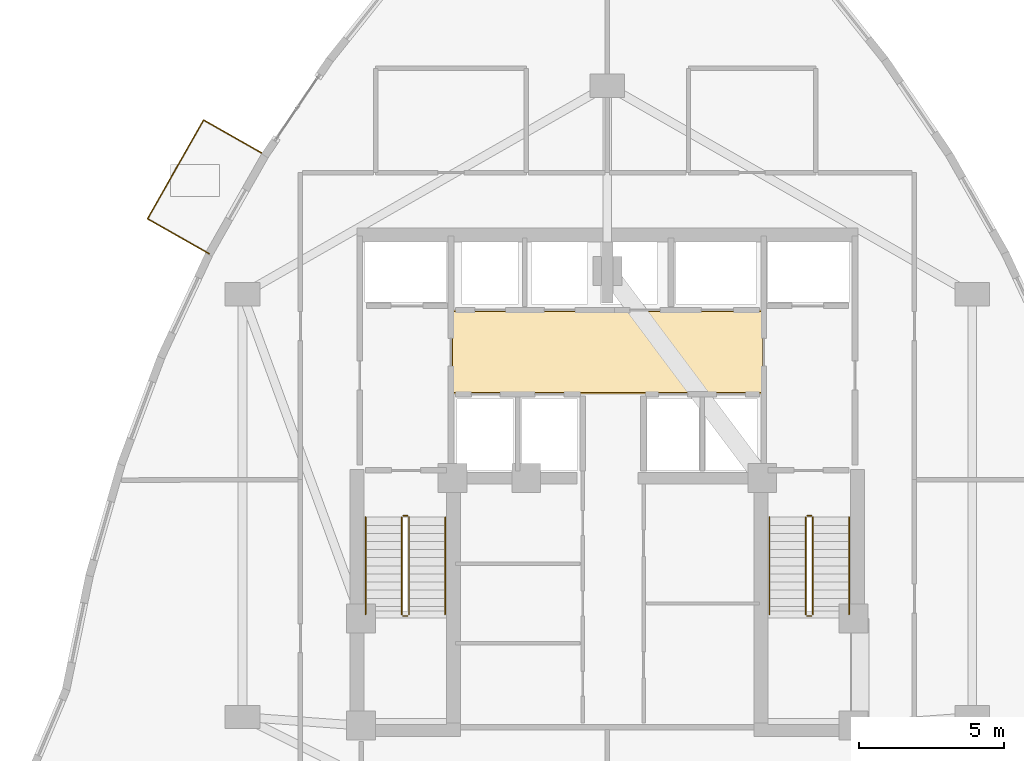
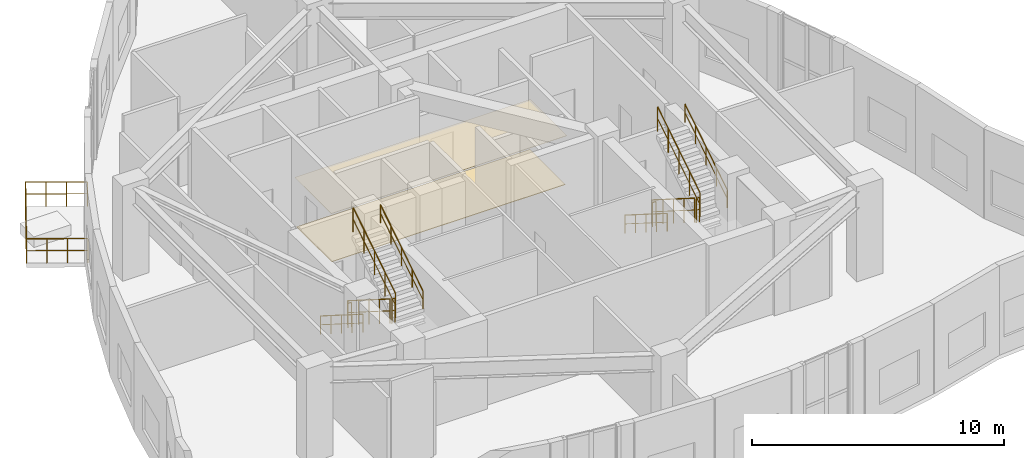
# One storey, part 14 of 14: 13 railings, 2 coverings.
"""IFC4 building model written with IfcOpenShell, lengths in metres."""

from ifc_helpers import new_model, si_unit, direction, frame, origin, origin_2d, place, context, subcontext, project, spatial, polyline, circle, outline, extrude, material, layer, layer_set, type_object, element, save


model = new_model("IFC4")

# Units and contexts
model_context = context("Model", 3, precision=1e-05, world=origin(), true_north=direction((0.0, 1.0)))
body_context = subcontext(model_context, "Body", "Model", "MODEL_VIEW")
ifc_project = project(units=[si_unit("LENGTHUNIT", "METRE"), si_unit("AREAUNIT", "SQUARE_METRE"), si_unit("VOLUMEUNIT", "CUBIC_METRE"), si_unit("PLANEANGLEUNIT", "RADIAN"), si_unit("MASSUNIT", "GRAM", prefix="KILO")], contexts=[model_context])

# Site, building, storey
site_placement = place(None, origin())
site = spatial("IfcSite", under=ifc_project, at=site_placement, CompositionType="ELEMENT")
building_placement = place(site_placement, origin())
building = spatial("IfcBuilding", under=site, at=building_placement, Name="Miruveldt Soraemaru", CompositionType="ELEMENT")
storey_placement = place(building_placement, frame((0.0, 0.0, 189.800048828125)))
storey = spatial("IfcBuildingStorey", under=building, at=storey_placement, Name="L52", CompositionType="ELEMENT", Elevation=189.800048828125)

# Coverings
ifc_material_1 = material(Name="Gypsum plasterboard lining", Category="gypsum")
ifc_layer_1 = layer(ifc_material_1, 0.02001953125, Name="Gypsum plasterboard lining", Category="gypsum")
ifc_layer_set_1 = layer_set([ifc_layer_1], Name="Gypsum plasterboard lining")
covering_type_1 = type_object("IfcCoveringType", Name="COV-CEIL-AC", PredefinedType="CEILING", material=ifc_layer_set_1)
covering_1_placement = place(storey_placement, frame((0.0, 0.0, 2.3798828125)))
element("IfcCovering", 1, at=covering_1_placement, inside=storey, type_object=covering_type_1, Name="L52 Lift Lobby Acoustic Ceiling", PredefinedType="CEILING", context=body_context, shape_type="SweptSolid", body=[
    extrude(outline(polyline([(38.60009765625, 46.949951171875), (49.39990234375, 46.949951171875), (49.39990234375, 49.85009765625), (38.60009765625, 49.85009765625), (38.60009765625, 46.949951171875)])), origin(), (0.0, 0.0, 1.0), 0.02001953125),
])
ifc_material_2 = material(Name="Precast concrete C45/55 (45 MPa)", Category="concrete")
ifc_layer_2 = layer(ifc_material_2, 0.02490234375, Name="Precast concrete C45/55 (45 MPa)", Category="concrete")
ifc_layer_set_2 = layer_set([ifc_layer_2], Name="Precast concrete C45/55 (45 MPa)")
covering_type_2 = type_object("IfcCoveringType", Name="COV-FLOR-ST", PredefinedType="FLOORING", material=ifc_layer_set_2)
covering_2_placement = place(storey_placement, origin())
element("IfcCovering", 2, at=covering_2_placement, inside=storey, type_object=covering_type_2, Name="L52 Lift Lobby Stone Flooring", PredefinedType="FLOORING", context=body_context, shape_type="SweptSolid", body=[
    extrude(outline(polyline([(38.64990234375, 47.0), (49.35009765625, 47.0), (49.35009765625, 49.800048828125), (38.64990234375, 49.800048828125), (38.64990234375, 47.0)])), origin(), (0.0, 0.0, 1.0), 0.02490234375),
])

# Railings
ifc_material_3 = material(Name="Anodised aluminium EN AW-6063 T6", Category="aluminium")
railing_type_1 = type_object("IfcRailingType", Name="RAIL-BAL-1200", PredefinedType="BALUSTRADE", material=ifc_material_3)
railing_1_placement = place(storey_placement, frame((32.1875, 55.20751953125, 0.0)))
element("IfcRailing", 3, at=railing_1_placement, inside=storey, type_object=railing_type_1, Name="L52 Sky Garden Deck Guardrail", PredefinedType="BALUSTRADE", context=body_context, shape_type="SweptSolid", body=[
    extrude(circle(Radius=0.02392578125, at=origin_2d()), frame((0.0, 0.0, 1.17578125), z_axis=(-0.869869689646, 0.493281585949, 0.0), x_axis=(-0.493281585949, -0.869869689646, 0.0)), (0.0, 0.0, 1.0), 2.449951171875),
    extrude(circle(Radius=0.01611328125, at=origin_2d()), frame((0.0, 0.0, 0.60009765625), z_axis=(-0.869869689646, 0.493281585949, 0.0), x_axis=(-0.493281585949, -0.869869689646, 0.0)), (0.0, 0.0, 1.0), 2.449951171875),
    extrude(circle(Radius=0.02392578125, at=origin_2d()), frame((-2.131103515625, 1.20849609375, 1.17578125), z_axis=(-0.493353466046, -0.869828924295, 0.0), x_axis=(0.869828924295, -0.493353466046, 0.0)), (0.0, 0.0, 1.0), 3.920654296875),
    extrude(circle(Radius=0.01611328125, at=origin_2d()), frame((-2.131103515625, 1.20849609375, 0.60009765625), z_axis=(-0.493353466046, -0.869828924295, 0.0), x_axis=(0.869828924295, -0.493353466046, 0.0)), (0.0, 0.0, 1.0), 3.920654296875),
    extrude(circle(Radius=0.02392578125, at=origin_2d()), frame((-4.0654296875, -2.201904296875, 1.17578125), z_axis=(0.86982692837, -0.493356985034, 0.0), x_axis=(0.493356985034, 0.86982692837, 0.0)), (0.0, 0.0, 1.0), 2.449951171875),
    extrude(circle(Radius=0.01611328125, at=origin_2d()), frame((-4.0654296875, -2.201904296875, 0.60009765625), z_axis=(0.86982692837, -0.493356985034, 0.0), x_axis=(0.493356985034, 0.86982692837, 0.0)), (0.0, 0.0, 1.0), 2.449951171875),
    extrude(circle(Radius=0.02099609375, at=origin_2d()), origin(), (0.0, 0.0, 1.0), 1.15185546875),
    extrude(circle(Radius=0.02099609375, at=origin_2d()), frame((-0.71044921875, 0.40283203125, 0.0)), (0.0, 0.0, 1.0), 1.15185546875),
    extrude(circle(Radius=0.02099609375, at=origin_2d()), frame((-1.420654296875, 0.8056640625, 0.0)), (0.0, 0.0, 1.0), 1.15185546875),
    extrude(circle(Radius=0.02099609375, at=origin_2d()), frame((-2.131103515625, 1.20849609375, 0.0)), (0.0, 0.0, 1.0), 1.15185546875),
    extrude(circle(Radius=0.02099609375, at=origin_2d()), frame((-2.61474609375, 0.35595703125, 0.0)), (0.0, 0.0, 1.0), 1.15185546875),
    extrude(circle(Radius=0.02099609375, at=origin_2d()), frame((-3.09814453125, -0.49658203125, 0.0)), (0.0, 0.0, 1.0), 1.15185546875),
    extrude(circle(Radius=0.02099609375, at=origin_2d()), frame((-3.581787109375, -1.349365234375, 0.0)), (0.0, 0.0, 1.0), 1.15185546875),
    extrude(circle(Radius=0.02099609375, at=origin_2d()), frame((-4.0654296875, -2.201904296875, 0.0)), (0.0, 0.0, 1.0), 1.15185546875),
    extrude(circle(Radius=0.02099609375, at=origin_2d()), frame((-3.35498046875, -2.604736328125, 0.0)), (0.0, 0.0, 1.0), 1.15185546875),
    extrude(circle(Radius=0.02099609375, at=origin_2d()), frame((-2.644775390625, -3.0078125, 0.0)), (0.0, 0.0, 1.0), 1.15185546875),
    extrude(circle(Radius=0.02099609375, at=origin_2d()), frame((-1.934326171875, -3.41064453125, 0.0)), (0.0, 0.0, 1.0), 1.15185546875),
])
ifc_material_4 = material(Name="Steel S355 (355 MPa)", Category="steel")
railing_type_2 = type_object("IfcRailingType", Name="RAIL-HR-900", PredefinedType="HANDRAIL", material=ifc_material_4)
railing_2_placement = place(storey_placement, frame((35.64990234375, 42.699951171875, 0.1767578125)))
element("IfcRailing", 4, at=railing_2_placement, inside=storey, type_object=railing_type_2, Name="L52 ST-1 stair handrail 1", PredefinedType="HANDRAIL", context=body_context, shape_type="SweptSolid", body=[
    extrude(circle(Radius=0.02392578125, at=origin_2d()), frame((0.0, 0.0, 0.8759765625), z_axis=(0.0, -0.845344368971, 0.534221768416), x_axis=(1.0, 0.0, 0.0)), (0.0, 0.0, 1.0), 3.974609375),
    extrude(circle(Radius=0.01611328125, at=origin_2d()), frame((0.0, 0.0, 0.449951171875), z_axis=(0.0, -0.845344368971, 0.534221768416), x_axis=(1.0, 0.0, 0.0)), (0.0, 0.0, 1.0), 3.974609375),
    extrude(circle(Radius=0.02099609375, at=origin_2d()), origin(), (0.0, 0.0, 1.0), 0.851806640625),
    extrude(circle(Radius=0.02099609375, at=origin_2d()), frame((0.0, -0.83984375, 0.53076171875)), (0.0, 0.0, 1.0), 0.851806640625),
    extrude(circle(Radius=0.02099609375, at=origin_2d()), frame((0.0, -1.679931640625, 1.0615234375)), (0.0, 0.0, 1.0), 0.851806640625),
    extrude(circle(Radius=0.02099609375, at=origin_2d()), frame((0.0, -2.52001953125, 1.592529296875)), (0.0, 0.0, 1.0), 0.851806640625),
    extrude(circle(Radius=0.02099609375, at=origin_2d()), frame((0.0, -3.35986328125, 2.123291015625)), (0.0, 0.0, 1.0), 0.851806640625),
])
railing_3_placement = place(storey_placement, frame((38.39990234375, 39.340087890625, 2.476806640625)))
element("IfcRailing", 5, at=railing_3_placement, inside=storey, type_object=railing_type_2, Name="L52 ST-1 stair handrail 2", PredefinedType="HANDRAIL", context=body_context, shape_type="SweptSolid", body=[
    extrude(circle(Radius=0.02392578125, at=origin_2d()), frame((0.0, 0.0, 0.8759765625), z_axis=(0.0, 0.845372108799, 0.534177870812), x_axis=(-1.0, 0.0, 0.0)), (0.0, 0.0, 1.0), 3.974365234375),
    extrude(circle(Radius=0.01611328125, at=origin_2d()), frame((0.0, 0.0, 0.449951171875), z_axis=(0.0, 0.845372108799, 0.534177870812), x_axis=(-1.0, 0.0, 0.0)), (0.0, 0.0, 1.0), 3.974365234375),
    extrude(circle(Radius=0.02099609375, at=origin_2d()), origin(), (0.0, 0.0, 1.0), 0.851806640625),
    extrude(circle(Radius=0.02099609375, at=origin_2d()), frame((0.0, 0.83984375, 0.53076171875)), (0.0, 0.0, 1.0), 0.851806640625),
    extrude(circle(Radius=0.02099609375, at=origin_2d()), frame((0.0, 1.679931640625, 1.0615234375)), (0.0, 0.0, 1.0), 0.851806640625),
    extrude(circle(Radius=0.02099609375, at=origin_2d()), frame((0.0, 2.52001953125, 1.59228515625)), (0.0, 0.0, 1.0), 0.851806640625),
    extrude(circle(Radius=0.02099609375, at=origin_2d()), frame((0.0, 3.35986328125, 2.123046875)), (0.0, 0.0, 1.0), 0.851806640625),
])
railing_4_placement = place(storey_placement, frame((49.60009765625, 42.699951171875, 0.1767578125)))
element("IfcRailing", 6, at=railing_4_placement, inside=storey, type_object=railing_type_2, Name="L52 ST-2 stair handrail 1", PredefinedType="HANDRAIL", context=body_context, shape_type="SweptSolid", body=[
    extrude(circle(Radius=0.02392578125, at=origin_2d()), frame((0.0, 0.0, 0.8759765625), z_axis=(0.0, -0.845344368971, 0.534221768416), x_axis=(1.0, 0.0, 0.0)), (0.0, 0.0, 1.0), 3.974609375),
    extrude(circle(Radius=0.01611328125, at=origin_2d()), frame((0.0, 0.0, 0.449951171875), z_axis=(0.0, -0.845344368971, 0.534221768416), x_axis=(1.0, 0.0, 0.0)), (0.0, 0.0, 1.0), 3.974609375),
    extrude(circle(Radius=0.02099609375, at=origin_2d()), origin(), (0.0, 0.0, 1.0), 0.851806640625),
    extrude(circle(Radius=0.02099609375, at=origin_2d()), frame((0.0, -0.83984375, 0.53076171875)), (0.0, 0.0, 1.0), 0.851806640625),
    extrude(circle(Radius=0.02099609375, at=origin_2d()), frame((0.0, -1.679931640625, 1.0615234375)), (0.0, 0.0, 1.0), 0.851806640625),
    extrude(circle(Radius=0.02099609375, at=origin_2d()), frame((0.0, -2.52001953125, 1.592529296875)), (0.0, 0.0, 1.0), 0.851806640625),
    extrude(circle(Radius=0.02099609375, at=origin_2d()), frame((0.0, -3.35986328125, 2.123291015625)), (0.0, 0.0, 1.0), 0.851806640625),
])
railing_5_placement = place(storey_placement, frame((52.35009765625, 39.340087890625, 2.476806640625)))
element("IfcRailing", 7, at=railing_5_placement, inside=storey, type_object=railing_type_2, Name="L52 ST-2 stair handrail 2", PredefinedType="HANDRAIL", context=body_context, shape_type="SweptSolid", body=[
    extrude(circle(Radius=0.02392578125, at=origin_2d()), frame((0.0, 0.0, 0.8759765625), z_axis=(0.0, 0.845372108799, 0.534177870812), x_axis=(-1.0, 0.0, 0.0)), (0.0, 0.0, 1.0), 3.974365234375),
    extrude(circle(Radius=0.01611328125, at=origin_2d()), frame((0.0, 0.0, 0.449951171875), z_axis=(0.0, 0.845372108799, 0.534177870812), x_axis=(-1.0, 0.0, 0.0)), (0.0, 0.0, 1.0), 3.974365234375),
    extrude(circle(Radius=0.02099609375, at=origin_2d()), origin(), (0.0, 0.0, 1.0), 0.851806640625),
    extrude(circle(Radius=0.02099609375, at=origin_2d()), frame((0.0, 0.83984375, 0.53076171875)), (0.0, 0.0, 1.0), 0.851806640625),
    extrude(circle(Radius=0.02099609375, at=origin_2d()), frame((0.0, 1.679931640625, 1.0615234375)), (0.0, 0.0, 1.0), 0.851806640625),
    extrude(circle(Radius=0.02099609375, at=origin_2d()), frame((0.0, 2.52001953125, 1.59228515625)), (0.0, 0.0, 1.0), 0.851806640625),
    extrude(circle(Radius=0.02099609375, at=origin_2d()), frame((0.0, 3.35986328125, 2.123046875)), (0.0, 0.0, 1.0), 0.851806640625),
])
railing_type_3 = type_object("IfcRailingType", Name="RAIL-STGUARD-1200", PredefinedType="GUARDRAIL", material=ifc_material_4)
railing_6_placement = place(storey_placement, frame((36.89990234375, 42.699951171875, 0.1767578125)))
element("IfcRailing", 8, at=railing_6_placement, inside=storey, type_object=railing_type_3, Name="L52 ST-1 stair guard 1", PredefinedType="GUARDRAIL", context=body_context, shape_type="SweptSolid", body=[
    extrude(circle(Radius=0.02392578125, at=origin_2d()), frame((0.0, 0.0, 1.17578125), z_axis=(0.0, -0.845344368971, 0.534221768416), x_axis=(1.0, 0.0, 0.0)), (0.0, 0.0, 1.0), 3.974609375),
    extrude(circle(Radius=0.01611328125, at=origin_2d()), frame((0.0, 0.0, 0.60009765625), z_axis=(0.0, -0.845344368971, 0.534221768416), x_axis=(1.0, 0.0, 0.0)), (0.0, 0.0, 1.0), 3.974609375),
    extrude(circle(Radius=0.02099609375, at=origin_2d()), origin(), (0.0, 0.0, 1.0), 1.15185546875),
    extrude(circle(Radius=0.02099609375, at=origin_2d()), frame((0.0, -0.83984375, 0.53076171875)), (0.0, 0.0, 1.0), 1.15185546875),
    extrude(circle(Radius=0.02099609375, at=origin_2d()), frame((0.0, -1.679931640625, 1.0615234375)), (0.0, 0.0, 1.0), 1.15185546875),
    extrude(circle(Radius=0.02099609375, at=origin_2d()), frame((0.0, -2.52001953125, 1.592529296875)), (0.0, 0.0, 1.0), 1.15185546875),
    extrude(circle(Radius=0.02099609375, at=origin_2d()), frame((0.0, -3.35986328125, 2.123291015625)), (0.0, 0.0, 1.0), 1.15185546875),
])
railing_7_placement = place(storey_placement, frame((36.949951171875, 39.2900390625, 2.300048828125)))
element("IfcRailing", 9, at=railing_7_placement, inside=storey, type_object=railing_type_3, Name="L52 ST-1 stair guard 2", PredefinedType="GUARDRAIL", context=body_context, shape_type="SweptSolid", body=[
    extrude(circle(Radius=0.02392578125, at=origin_2d()), frame((0.0, 0.0, 1.17578125), z_axis=(1.0, 0.0, 0.0), x_axis=(0.0, 1.0, 0.0)), (0.0, 0.0, 1.0), 0.150146484375),
    extrude(circle(Radius=0.01611328125, at=origin_2d()), frame((0.0, 0.0, 0.60009765625), z_axis=(1.0, 0.0, 0.0), x_axis=(0.0, 1.0, 0.0)), (0.0, 0.0, 1.0), 0.150146484375),
    extrude(circle(Radius=0.02099609375, at=origin_2d()), origin(), (0.0, 0.0, 1.0), 1.15185546875),
    extrude(circle(Radius=0.02099609375, at=origin_2d()), frame((0.150146484375, 0.0, 0.0)), (0.0, 0.0, 1.0), 1.15185546875),
])
railing_8_placement = place(storey_placement, frame((37.14990234375, 39.340087890625, 2.476806640625)))
element("IfcRailing", 10, at=railing_8_placement, inside=storey, type_object=railing_type_3, Name="L52 ST-1 stair guard 3", PredefinedType="GUARDRAIL", context=body_context, shape_type="SweptSolid", body=[
    extrude(circle(Radius=0.02392578125, at=origin_2d()), frame((0.0, 0.0, 1.17578125), z_axis=(0.0, 0.845372108799, 0.534177870812), x_axis=(-1.0, 0.0, 0.0)), (0.0, 0.0, 1.0), 3.974365234375),
    extrude(circle(Radius=0.01611328125, at=origin_2d()), frame((0.0, 0.0, 0.60009765625), z_axis=(0.0, 0.845372108799, 0.534177870812), x_axis=(-1.0, 0.0, 0.0)), (0.0, 0.0, 1.0), 3.974365234375),
    extrude(circle(Radius=0.02099609375, at=origin_2d()), origin(), (0.0, 0.0, 1.0), 1.15185546875),
    extrude(circle(Radius=0.02099609375, at=origin_2d()), frame((0.0, 0.83984375, 0.53076171875)), (0.0, 0.0, 1.0), 1.15185546875),
    extrude(circle(Radius=0.02099609375, at=origin_2d()), frame((0.0, 1.679931640625, 1.0615234375)), (0.0, 0.0, 1.0), 1.15185546875),
    extrude(circle(Radius=0.02099609375, at=origin_2d()), frame((0.0, 2.52001953125, 1.59228515625)), (0.0, 0.0, 1.0), 1.15185546875),
    extrude(circle(Radius=0.02099609375, at=origin_2d()), frame((0.0, 3.35986328125, 2.123046875)), (0.0, 0.0, 1.0), 1.15185546875),
])
railing_9_placement = place(storey_placement, frame((36.949951171875, 42.75, 0.0)))
element("IfcRailing", 11, at=railing_9_placement, inside=storey, type_object=railing_type_3, Name="L52 ST-1 stair guard 4", PredefinedType="GUARDRAIL", context=body_context, shape_type="SweptSolid", body=[
    extrude(circle(Radius=0.02392578125, at=origin_2d()), frame((0.0, 0.0, 1.17578125), z_axis=(1.0, 0.0, 0.0), x_axis=(0.0, 1.0, 0.0)), (0.0, 0.0, 1.0), 0.150146484375),
    extrude(circle(Radius=0.01611328125, at=origin_2d()), frame((0.0, 0.0, 0.60009765625), z_axis=(1.0, 0.0, 0.0), x_axis=(0.0, 1.0, 0.0)), (0.0, 0.0, 1.0), 0.150146484375),
    extrude(circle(Radius=0.02099609375, at=origin_2d()), origin(), (0.0, 0.0, 1.0), 1.15185546875),
    extrude(circle(Radius=0.02099609375, at=origin_2d()), frame((0.150146484375, 0.0, 0.0)), (0.0, 0.0, 1.0), 1.15185546875),
])
railing_10_placement = place(storey_placement, frame((50.85009765625, 42.699951171875, 0.1767578125)))
element("IfcRailing", 12, at=railing_10_placement, inside=storey, type_object=railing_type_3, Name="L52 ST-2 stair guard 1", PredefinedType="GUARDRAIL", context=body_context, shape_type="SweptSolid", body=[
    extrude(circle(Radius=0.02392578125, at=origin_2d()), frame((0.0, 0.0, 1.17578125), z_axis=(0.0, -0.845344368971, 0.534221768416), x_axis=(1.0, 0.0, 0.0)), (0.0, 0.0, 1.0), 3.974609375),
    extrude(circle(Radius=0.01611328125, at=origin_2d()), frame((0.0, 0.0, 0.60009765625), z_axis=(0.0, -0.845344368971, 0.534221768416), x_axis=(1.0, 0.0, 0.0)), (0.0, 0.0, 1.0), 3.974609375),
    extrude(circle(Radius=0.02099609375, at=origin_2d()), origin(), (0.0, 0.0, 1.0), 1.15185546875),
    extrude(circle(Radius=0.02099609375, at=origin_2d()), frame((0.0, -0.83984375, 0.53076171875)), (0.0, 0.0, 1.0), 1.15185546875),
    extrude(circle(Radius=0.02099609375, at=origin_2d()), frame((0.0, -1.679931640625, 1.0615234375)), (0.0, 0.0, 1.0), 1.15185546875),
    extrude(circle(Radius=0.02099609375, at=origin_2d()), frame((0.0, -2.52001953125, 1.592529296875)), (0.0, 0.0, 1.0), 1.15185546875),
    extrude(circle(Radius=0.02099609375, at=origin_2d()), frame((0.0, -3.35986328125, 2.123291015625)), (0.0, 0.0, 1.0), 1.15185546875),
])
railing_11_placement = place(storey_placement, frame((50.89990234375, 39.2900390625, 2.300048828125)))
element("IfcRailing", 13, at=railing_11_placement, inside=storey, type_object=railing_type_3, Name="L52 ST-2 stair guard 2", PredefinedType="GUARDRAIL", context=body_context, shape_type="SweptSolid", body=[
    extrude(circle(Radius=0.02392578125, at=origin_2d()), frame((0.0, 0.0, 1.17578125), z_axis=(1.0, 0.0, 0.0), x_axis=(0.0, 1.0, 0.0)), (0.0, 0.0, 1.0), 0.150146484375),
    extrude(circle(Radius=0.01611328125, at=origin_2d()), frame((0.0, 0.0, 0.60009765625), z_axis=(1.0, 0.0, 0.0), x_axis=(0.0, 1.0, 0.0)), (0.0, 0.0, 1.0), 0.150146484375),
    extrude(circle(Radius=0.02099609375, at=origin_2d()), origin(), (0.0, 0.0, 1.0), 1.15185546875),
    extrude(circle(Radius=0.02099609375, at=origin_2d()), frame((0.150146484375, 0.0, 0.0)), (0.0, 0.0, 1.0), 1.15185546875),
])
railing_12_placement = place(storey_placement, frame((51.10009765625, 39.340087890625, 2.476806640625)))
element("IfcRailing", 14, at=railing_12_placement, inside=storey, type_object=railing_type_3, Name="L52 ST-2 stair guard 3", PredefinedType="GUARDRAIL", context=body_context, shape_type="SweptSolid", body=[
    extrude(circle(Radius=0.02392578125, at=origin_2d()), frame((0.0, 0.0, 1.17578125), z_axis=(0.0, 0.845372108799, 0.534177870812), x_axis=(-1.0, 0.0, 0.0)), (0.0, 0.0, 1.0), 3.974365234375),
    extrude(circle(Radius=0.01611328125, at=origin_2d()), frame((0.0, 0.0, 0.60009765625), z_axis=(0.0, 0.845372108799, 0.534177870812), x_axis=(-1.0, 0.0, 0.0)), (0.0, 0.0, 1.0), 3.974365234375),
    extrude(circle(Radius=0.02099609375, at=origin_2d()), origin(), (0.0, 0.0, 1.0), 1.15185546875),
    extrude(circle(Radius=0.02099609375, at=origin_2d()), frame((0.0, 0.83984375, 0.53076171875)), (0.0, 0.0, 1.0), 1.15185546875),
    extrude(circle(Radius=0.02099609375, at=origin_2d()), frame((0.0, 1.679931640625, 1.0615234375)), (0.0, 0.0, 1.0), 1.15185546875),
    extrude(circle(Radius=0.02099609375, at=origin_2d()), frame((0.0, 2.52001953125, 1.59228515625)), (0.0, 0.0, 1.0), 1.15185546875),
    extrude(circle(Radius=0.02099609375, at=origin_2d()), frame((0.0, 3.35986328125, 2.123046875)), (0.0, 0.0, 1.0), 1.15185546875),
])
railing_13_placement = place(storey_placement, frame((50.89990234375, 42.75, 0.0)))
element("IfcRailing", 15, at=railing_13_placement, inside=storey, type_object=railing_type_3, Name="L52 ST-2 stair guard 4", PredefinedType="GUARDRAIL", context=body_context, shape_type="SweptSolid", body=[
    extrude(circle(Radius=0.02392578125, at=origin_2d()), frame((0.0, 0.0, 1.17578125), z_axis=(1.0, 0.0, 0.0), x_axis=(0.0, 1.0, 0.0)), (0.0, 0.0, 1.0), 0.150146484375),
    extrude(circle(Radius=0.01611328125, at=origin_2d()), frame((0.0, 0.0, 0.60009765625), z_axis=(1.0, 0.0, 0.0), x_axis=(0.0, 1.0, 0.0)), (0.0, 0.0, 1.0), 0.150146484375),
    extrude(circle(Radius=0.02099609375, at=origin_2d()), origin(), (0.0, 0.0, 1.0), 1.15185546875),
    extrude(circle(Radius=0.02099609375, at=origin_2d()), frame((0.150146484375, 0.0, 0.0)), (0.0, 0.0, 1.0), 1.15185546875),
])

save(model, "model.ifc")
